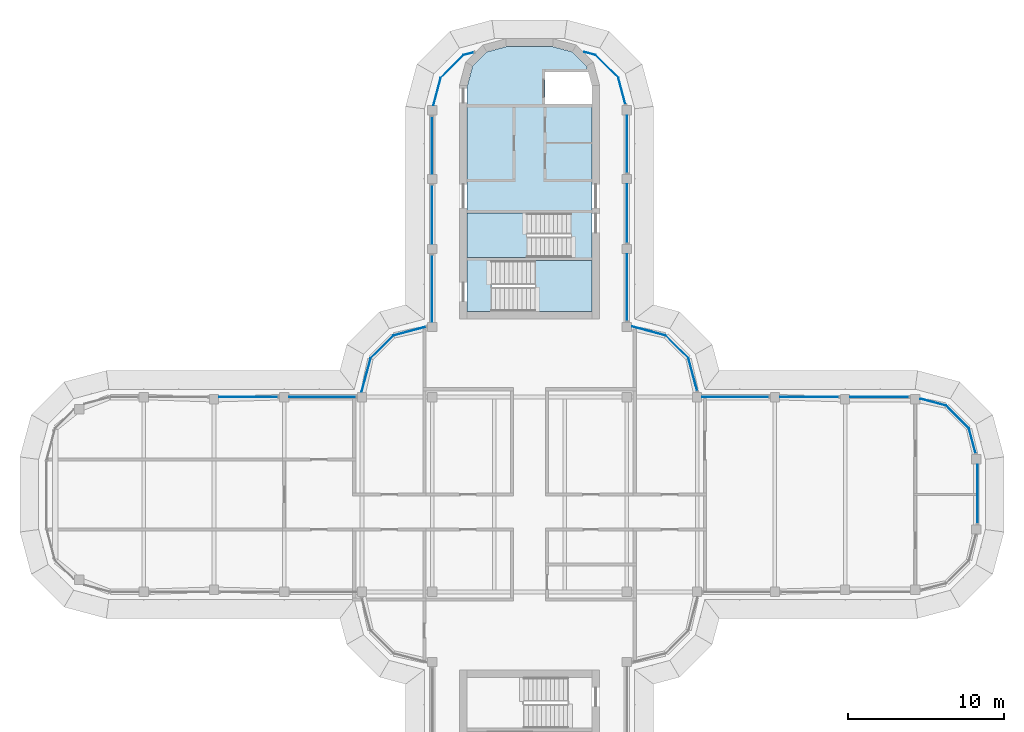
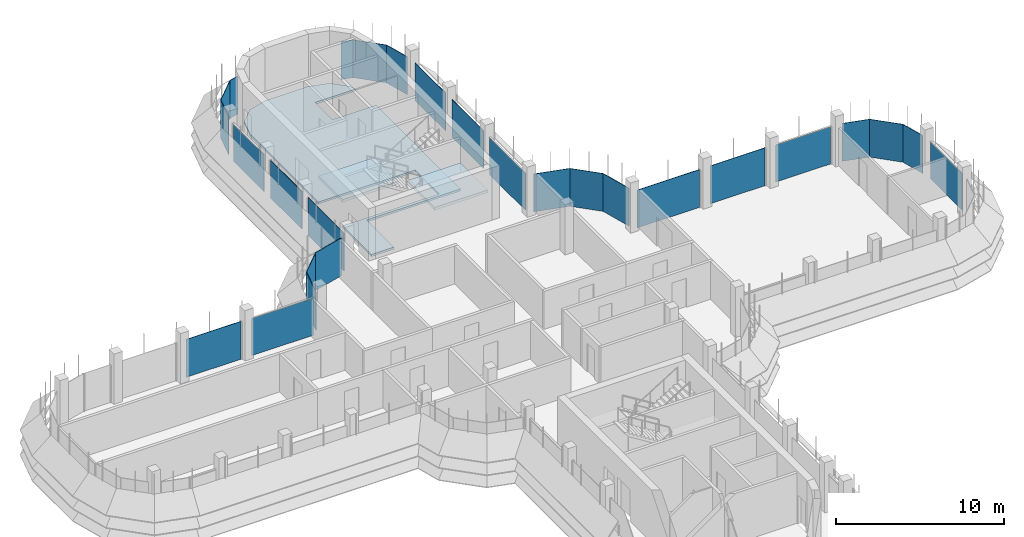
# One storey, part 12 of 19: 27 plates, 3 slabs, 22 elements without a shape of their own.
"""IFC4 building model written with IfcOpenShell, lengths in metres."""

from ifc_helpers import new_model, si_unit, direction, frame, origin, place, context, subcontext, project, spatial, polyline, outline, extrude, source, transform, mapped, material, layer, layer_set, type_object, element, aggregate, save


model = new_model("IFC4")

# Units and contexts
model_context = context("Model", 3, precision=1e-05, world=origin(), true_north=direction((0.0, 1.0)))
body_context = subcontext(model_context, "Body", "Model", "MODEL_VIEW")
ifc_project = project(units=[si_unit("LENGTHUNIT", "METRE"), si_unit("AREAUNIT", "SQUARE_METRE"), si_unit("VOLUMEUNIT", "CUBIC_METRE"), si_unit("PLANEANGLEUNIT", "RADIAN"), si_unit("MASSUNIT", "GRAM", prefix="KILO")], contexts=[model_context])

# Site, building, storey
site_placement = place(None, origin())
site = spatial("IfcSite", under=ifc_project, at=site_placement, CompositionType="ELEMENT")
building_placement = place(site_placement, origin())
building = spatial("IfcBuilding", under=site, at=building_placement, Name="Zarbagh Exchange Tower", CompositionType="ELEMENT")
storey_placement = place(building_placement, frame((0.0, 0.0, 280.199951171875)))
storey = spatial("IfcBuildingStorey", under=building, at=storey_placement, Name="L69", CompositionType="ELEMENT", Elevation=280.199951171875)

# Slab
ifc_material_1 = material(Name="Concrete C40/50", Category="concrete")
ifc_layer_1 = layer(ifc_material_1, 0.14990234375)
ifc_layer_set_1 = layer_set([ifc_layer_1], Name="Core floor slab 150 C40/50")
slab_type_1 = type_object("IfcSlabType", Name="Core floor slab 150 C40/50", PredefinedType="FLOOR", material=ifc_layer_set_1)
slab_1_placement = place(storey_placement, frame((0.0, 0.0, -0.14990234375)))
element("IfcSlab", 1, at=slab_1_placement, inside=storey, type_object=slab_type_1, Name="S17 core N", PredefinedType="FLOOR", context=body_context, shape_type="SweptSolid", body=[
    extrude(outline(polyline([(-4.0, 11.75), (-4.0, 15.199951171875), (2.64990234375, 15.199951171875), (2.64990234375, 18.050048828125), (-4.0, 18.050048828125), (-4.0, 26.18408203125), (-3.64990234375, 27.4912109375), (-2.7412109375, 28.39990234375), (-1.43408203125, 28.75), (1.43408203125, 28.75), (2.7412109375, 28.39990234375), (3.64990234375, 27.4912109375), (3.857666015625, 26.715087890625), (3.754638671875, 27.10009765625), (1.0, 27.10009765625), (1.0, 25.050048828125), (4.0, 25.050048828125), (4.0, 15.0), (-2.449951171875, 15.0), (-2.449951171875, 11.75), (-4.0, 11.75)])), origin(), (0.0, 0.0, 1.0), 0.14990234375),
])

# Stair, slab
stair_type = type_object("IfcStairType", Name="Exit stair two-flight half-turn", PredefinedType="HALF_TURN_STAIR", material=ifc_material_1)
stair_1_placement = place(storey_placement, origin())
stair_1 = element("IfcStair", 2, at=stair_1_placement, inside=storey, type_object=stair_type, Name="exit stair ST1", PredefinedType="HALF_TURN_STAIR")
ifc_layer_2 = layer(ifc_material_1, 0.199951171875)
ifc_layer_set_2 = layer_set([ifc_layer_2], Name="Stair landing 200 mm")
slab_type_2 = type_object("IfcSlabType", Name="Stair landing 200 mm", PredefinedType="LANDING", material=ifc_layer_set_2)
slab_2_placement = place(storey_placement, frame((0.0, 0.0, 1.699951171875)))
slab_2 = element("IfcSlab", 3, at=slab_2_placement, type_object=slab_type_2, Name="ST1 landing 1", PredefinedType="LANDING", context=body_context, shape_type="SweptSolid", body=[
    extrude(outline(polyline([(-0.14990234375, 18.050048828125), (-4.0, 18.050048828125), (-4.0, 15.199951171875), (-0.14990234375, 15.199951171875), (-0.14990234375, 18.050048828125)])), origin(), (0.0, 0.0, 1.0), 0.2001953125),
])
aggregate(stair_1, [slab_2])

stair_2_placement = place(storey_placement, origin())
stair_2 = element("IfcStair", 4, at=stair_2_placement, inside=storey, type_object=stair_type, Name="exit stair ST2", PredefinedType="HALF_TURN_STAIR")
slab_3_placement = place(storey_placement, frame((0.0, 0.0, 1.699951171875)))
slab_3 = element("IfcSlab", 5, at=slab_3_placement, type_object=slab_type_2, Name="ST2 landing 1", PredefinedType="LANDING", context=body_context, shape_type="SweptSolid", body=[
    extrude(outline(polyline([(0.35009765625, 11.75), (4.0, 11.75), (4.0, 15.0), (0.35009765625, 15.0), (0.35009765625, 11.75)])), origin(), (0.0, 0.0, 1.0), 0.2001953125),
])
aggregate(stair_2, [slab_3])

# Curtain wall, plate
ifc_material_2 = material(Name="Anodised aluminium frame and glazing", Category="aluminium")
curtain_wall_type = type_object("IfcCurtainWallType", Name="CWB Ribbon glazing, upper zones", PredefinedType="NOTDEFINED", material=ifc_material_2)
curtain_wall_1_placement = place(storey_placement, origin())
curtain_wall_1 = element("IfcCurtainWall", 6, at=curtain_wall_1_placement, inside=storey, type_object=curtain_wall_type, Name="CWB80 curtain wall", PredefinedType="NOTDEFINED")
ifc_material_3 = material(Name="Low-e double glazed unit, 6+12+6 mm")
ifc_layer_3 = layer(ifc_material_3, 0.031982421875)
ifc_layer_set_3 = layer_set([ifc_layer_3], Name="PAB Glazing panel, Low-e double glazed unit, 6+12+6 mm")
plate_type = type_object("IfcPlateType", Name="PAB Glazing panel, Low-e double glazed unit, 6+12+6 mm", PredefinedType="CURTAIN_PANEL", material=ifc_layer_set_3)
shared_shape_1 = source(origin(), body_context, "Body", "SweptSolid", [
    extrude(outline(polyline([(0.0, -0.01611328125), (2.061279296875, -0.01611328125), (2.061279296875, 0.01611328125), (0.0, 0.01611328125), (0.0, -0.01611328125)])), origin(), (0.0, 0.0, 1.0), 2.75),
])
placement = place(storey_placement, origin())
plate_1 = element("IfcPlate", 7, at=placement, type_object=plate_type, Name="CWB80 glazing panel 1.1", PredefinedType="CURTAIN_PANEL", context=body_context, shape_type="MappedRepresentation", body=[
    mapped(shared_shape_1, transform((28.19873046875, 4.2412109375, 0.0), x_axis=(-0.707106781187, 0.707106781187, 0.0), y_axis=(-0.707106781187, -0.707106781187, 0.0), z_axis=(0.0, 0.0, 1.0))),
])
aggregate(curtain_wall_1, [plate_1])

curtain_wall_2_placement = place(storey_placement, origin())
curtain_wall_2 = element("IfcCurtainWall", 8, at=curtain_wall_2_placement, inside=storey, type_object=curtain_wall_type, Name="CWB18 curtain wall", PredefinedType="NOTDEFINED")
plate_2 = element("IfcPlate", 9, at=placement, type_object=plate_type, Name="CWB18 glazing panel 1.1", PredefinedType="CURTAIN_PANEL", context=body_context, shape_type="MappedRepresentation", body=[
    mapped(shared_shape_1, transform((10.19873046875, 8.7412109375, 0.0), x_axis=(-0.707106781187, 0.707106781187, 0.0), y_axis=(-0.707106781187, -0.707106781187, 0.0), z_axis=(0.0, 0.0, 1.0))),
])
aggregate(curtain_wall_2, [plate_2])

curtain_wall_3_placement = place(storey_placement, origin())
curtain_wall_3 = element("IfcCurtainWall", 10, at=curtain_wall_3_placement, inside=storey, type_object=curtain_wall_type, Name="CWB74 curtain wall", PredefinedType="NOTDEFINED")
plate_3 = element("IfcPlate", 11, at=placement, type_object=plate_type, Name="CWB74 glazing panel 1.1", PredefinedType="CURTAIN_PANEL", context=body_context, shape_type="MappedRepresentation", body=[
    mapped(shared_shape_1, transform((5.69873046875, 26.7412109375, 0.0), x_axis=(-0.707106781187, 0.707106781187, 0.0), y_axis=(-0.707106781187, -0.707106781187, 0.0), z_axis=(0.0, 0.0, 1.0))),
])
aggregate(curtain_wall_3, [plate_3])

curtain_wall_4_placement = place(storey_placement, origin())
curtain_wall_4 = element("IfcCurtainWall", 12, at=curtain_wall_4_placement, inside=storey, type_object=curtain_wall_type, Name="CWB71 curtain wall", PredefinedType="NOTDEFINED")
plate_4 = element("IfcPlate", 13, at=placement, type_object=plate_type, Name="CWB71 glazing panel 1.1", PredefinedType="CURTAIN_PANEL", context=body_context, shape_type="MappedRepresentation", body=[
    mapped(shared_shape_1, transform((-4.2412109375, 28.19873046875, 0.0), x_axis=(-0.707106781187, -0.707106781187, 0.0), y_axis=(0.707106781187, -0.707106781187, 0.0), z_axis=(0.0, 0.0, 1.0))),
])
aggregate(curtain_wall_4, [plate_4])

curtain_wall_5_placement = place(storey_placement, origin())
curtain_wall_5 = element("IfcCurtainWall", 14, at=curtain_wall_5_placement, inside=storey, type_object=curtain_wall_type, Name="CWB30 curtain wall", PredefinedType="NOTDEFINED")
plate_5 = element("IfcPlate", 15, at=placement, type_object=plate_type, Name="CWB30 glazing panel 1.1", PredefinedType="CURTAIN_PANEL", context=body_context, shape_type="MappedRepresentation", body=[
    mapped(shared_shape_1, transform((-8.7412109375, 10.19873046875, 0.0), x_axis=(-0.707106781187, -0.707106781187, 0.0), y_axis=(0.707106781187, -0.707106781187, 0.0), z_axis=(0.0, 0.0, 1.0))),
])
aggregate(curtain_wall_5, [plate_5])

curtain_wall_6_placement = place(storey_placement, origin())
curtain_wall_6 = element("IfcCurtainWall", 16, at=curtain_wall_6_placement, inside=storey, type_object=curtain_wall_type, Name="CWB81 curtain wall", PredefinedType="NOTDEFINED")
shared_shape_2 = source(origin(), body_context, "Body", "SweptSolid", [
    extrude(outline(polyline([(0.0, -0.01611328125), (1.70947265625, -0.01611328125), (1.70947265625, 0.01611328125), (0.0, 0.01611328125), (0.0, -0.01611328125)])), origin(), (0.0, 0.0, 1.0), 2.75),
])
plate_6 = element("IfcPlate", 17, at=placement, type_object=plate_type, Name="CWB81 glazing panel 1.1", PredefinedType="CURTAIN_PANEL", context=body_context, shape_type="MappedRepresentation", body=[
    mapped(shared_shape_2, transform((26.7412109375, 5.69873046875, 0.0), x_axis=(-0.965924289636, 0.258824779902, 0.0), y_axis=(-0.258824779902, -0.965924289636, 0.0), z_axis=(0.0, 0.0, 1.0))),
])
aggregate(curtain_wall_6, [plate_6])

curtain_wall_7_placement = place(storey_placement, origin())
curtain_wall_7 = element("IfcCurtainWall", 18, at=curtain_wall_7_placement, inside=storey, type_object=curtain_wall_type, Name="CWB79 curtain wall", PredefinedType="NOTDEFINED")
shared_shape_3 = source(origin(), body_context, "Body", "SweptSolid", [
    extrude(outline(polyline([(0.0, -0.01611328125), (1.6494140625, -0.01611328125), (1.6494140625, 0.01611328125), (0.0, 0.01611328125), (0.0, -0.01611328125)])), origin(), (0.0, 0.0, 1.0), 2.75),
])
plate_7 = element("IfcPlate", 19, at=placement, type_object=plate_type, Name="CWB79 glazing panel 1.1", PredefinedType="CURTAIN_PANEL", context=body_context, shape_type="MappedRepresentation", body=[
    mapped(shared_shape_3, transform((28.625732421875, 2.64794921875, 0.0), x_axis=(-0.258824779902, 0.965924289636, 0.0), y_axis=(-0.965924289636, -0.258824779902, 0.0), z_axis=(0.0, 0.0, 1.0))),
])
aggregate(curtain_wall_7, [plate_7])

curtain_wall_8_placement = place(storey_placement, origin())
curtain_wall_8 = element("IfcCurtainWall", 20, at=curtain_wall_8_placement, inside=storey, type_object=curtain_wall_type, Name="CWB67 curtain wall", PredefinedType="NOTDEFINED")
shared_shape_4 = source(origin(), body_context, "Body", "SweptSolid", [
    extrude(outline(polyline([(0.0, -0.01611328125), (3.659912109375, -0.01611328125), (3.659912109375, 0.01611328125), (0.0, 0.01611328125), (0.0, -0.01611328125)])), origin(), (0.0, 0.0, 1.0), 2.75),
])
plate_8 = element("IfcPlate", 21, at=placement, type_object=plate_type, Name="CWB67 glazing panel 3.1", PredefinedType="CURTAIN_PANEL", context=body_context, shape_type="MappedRepresentation", body=[
    mapped(shared_shape_4, transform((6.25, 20.650146484375, 0.0), x_axis=(0.0, 1.0, 0.0), y_axis=(-1.0, 0.0, 0.0), z_axis=(0.0, 0.0, 1.0))),
])

curtain_wall_9_placement = place(storey_placement, origin())
curtain_wall_9 = element("IfcCurtainWall", 22, at=curtain_wall_9_placement, inside=storey, type_object=curtain_wall_type, Name="CWB69 curtain wall", PredefinedType="NOTDEFINED")
shared_shape_5 = source(origin(), body_context, "Body", "SweptSolid", [
    extrude(outline(polyline([(0.0, -0.01611328125), (0.757080078125, -0.01611328125), (0.757080078125, 0.01611328125), (0.0, 0.01611328125), (0.0, -0.01611328125)])), origin(), (0.0, 0.0, 1.0), 2.75),
])
plate_9 = element("IfcPlate", 23, at=placement, type_object=plate_type, Name="CWB69 glazing panel 1.1", PredefinedType="CURTAIN_PANEL", context=body_context, shape_type="MappedRepresentation", body=[
    mapped(shared_shape_5, transform((4.2412109375, 28.19873046875, 0.0), x_axis=(-0.965924289636, 0.258824779902, 0.0), y_axis=(-0.258824779902, -0.965924289636, 0.0), z_axis=(0.0, 0.0, 1.0))),
])
aggregate(curtain_wall_9, [plate_9])

curtain_wall_10_placement = place(storey_placement, origin())
curtain_wall_10 = element("IfcCurtainWall", 24, at=curtain_wall_10_placement, inside=storey, type_object=curtain_wall_type, Name="CWB70 curtain wall", PredefinedType="NOTDEFINED")
shared_shape_6 = source(origin(), body_context, "Body", "SweptSolid", [
    extrude(outline(polyline([(0.0, -0.01611328125), (0.697021484375, -0.01611328125), (0.697021484375, 0.01611328125), (0.0, 0.01611328125), (0.0, -0.01611328125)])), origin(), (0.0, 0.0, 1.0), 2.75),
])
plate_10 = element("IfcPlate", 25, at=placement, type_object=plate_type, Name="CWB70 glazing panel 1.1", PredefinedType="CURTAIN_PANEL", context=body_context, shape_type="MappedRepresentation", body=[
    mapped(shared_shape_6, transform((-3.56787109375, 28.379150390625, 0.0), x_axis=(-0.965924289636, -0.258824779902, 0.0), y_axis=(0.258824779902, -0.965924289636, 0.0), z_axis=(0.0, 0.0, 1.0))),
])
aggregate(curtain_wall_10, [plate_10])

curtain_wall_11_placement = place(storey_placement, origin())
curtain_wall_11 = element("IfcCurtainWall", 26, at=curtain_wall_11_placement, inside=storey, type_object=curtain_wall_type, Name="CWB72 curtain wall", PredefinedType="NOTDEFINED")
shared_shape_7 = source(origin(), body_context, "Body", "SweptSolid", [
    extrude(outline(polyline([(0.0, -0.01611328125), (1.81298828125, -0.01611328125), (1.81298828125, 0.01611328125), (0.0, 0.01611328125), (0.0, -0.01611328125)])), origin(), (0.0, 0.0, 1.0), 2.75),
])
plate_11 = element("IfcPlate", 27, at=placement, type_object=plate_type, Name="CWB72 glazing panel 1.1", PredefinedType="CURTAIN_PANEL", context=body_context, shape_type="MappedRepresentation", body=[
    mapped(shared_shape_7, transform((-5.69873046875, 26.7412109375, 0.0), x_axis=(-0.258824779902, -0.965924289636, 0.0), y_axis=(0.965924289636, -0.258824779902, 0.0), z_axis=(0.0, 0.0, 1.0))),
])
aggregate(curtain_wall_11, [plate_11])

curtain_wall_12_placement = place(storey_placement, origin())
curtain_wall_12 = element("IfcCurtainWall", 28, at=curtain_wall_12_placement, inside=storey, type_object=curtain_wall_type, Name="CWB82 curtain wall", PredefinedType="NOTDEFINED")
shared_shape_8 = source(origin(), body_context, "Body", "SweptSolid", [
    extrude(outline(polyline([(0.0, -0.01611328125), (3.760009765625, -0.01611328125), (3.760009765625, 0.01611328125), (0.0, 0.01611328125), (0.0, -0.01611328125)])), origin(), (0.0, 0.0, 1.0), 2.75),
])
plate_12 = element("IfcPlate", 29, at=placement, type_object=plate_type, Name="CWB82 glazing panel 2.1", PredefinedType="CURTAIN_PANEL", context=body_context, shape_type="MappedRepresentation", body=[
    mapped(shared_shape_8, transform((19.849853515625, 6.25, 0.0), x_axis=(-1.0, 0.0, 0.0), y_axis=(0.0, -1.0, 0.0), z_axis=(0.0, 0.0, 1.0))),
])

# Plate
plate_13 = element("IfcPlate", 30, at=placement, type_object=plate_type, Name="CWB67 glazing panel 2.1", PredefinedType="CURTAIN_PANEL", context=body_context, shape_type="MappedRepresentation", body=[
    mapped(shared_shape_8, transform((6.25, 16.150146484375, 0.0), x_axis=(0.0, 1.0, 0.0), y_axis=(-1.0, 0.0, 0.0), z_axis=(0.0, 0.0, 1.0))),
])

# Curtain wall, plate
curtain_wall_13_placement = place(storey_placement, origin())
curtain_wall_13 = element("IfcCurtainWall", 31, at=curtain_wall_13_placement, inside=storey, type_object=curtain_wall_type, Name="CWB73 curtain wall", PredefinedType="NOTDEFINED")
plate_14 = element("IfcPlate", 32, at=placement, type_object=plate_type, Name="CWB73 glazing panel 2.1", PredefinedType="CURTAIN_PANEL", context=body_context, shape_type="MappedRepresentation", body=[
    mapped(shared_shape_8, transform((-6.25, 19.849853515625, 0.0), x_axis=(0.0, -1.0, 0.0), y_axis=(1.0, 0.0, 0.0), z_axis=(0.0, 0.0, 1.0))),
])

curtain_wall_14_placement = place(storey_placement, origin())
curtain_wall_14 = element("IfcCurtainWall", 33, at=curtain_wall_14_placement, inside=storey, type_object=curtain_wall_type, Name="CWB58 curtain wall", PredefinedType="NOTDEFINED")
plate_15 = element("IfcPlate", 34, at=placement, type_object=plate_type, Name="CWB58 glazing panel 2.1", PredefinedType="CURTAIN_PANEL", context=body_context, shape_type="MappedRepresentation", body=[
    mapped(shared_shape_8, transform((-16.150146484375, 6.25, 0.0), x_axis=(-1.0, 0.0, 0.0), y_axis=(0.0, -1.0, 0.0), z_axis=(0.0, 0.0, 1.0))),
])

# Plate
shared_shape_9 = source(origin(), body_context, "Body", "SweptSolid", [
    extrude(outline(polyline([(0.0, -0.01611328125), (4.260009765625, -0.01611328125), (4.260009765625, 0.01611328125), (0.0, 0.01611328125), (0.0, -0.01611328125)])), origin(), (0.0, 0.0, 1.0), 2.75),
])
plate_16 = element("IfcPlate", 35, at=placement, type_object=plate_type, Name="CWB82 glazing panel 3.1", PredefinedType="CURTAIN_PANEL", context=body_context, shape_type="MappedRepresentation", body=[
    mapped(shared_shape_9, transform((15.349853515625, 6.25, 0.0), x_axis=(-1.0, 0.0, 0.0), y_axis=(0.0, -1.0, 0.0), z_axis=(0.0, 0.0, 1.0))),
])

plate_17 = element("IfcPlate", 36, at=placement, type_object=plate_type, Name="CWB73 glazing panel 3.1", PredefinedType="CURTAIN_PANEL", context=body_context, shape_type="MappedRepresentation", body=[
    mapped(shared_shape_9, transform((-6.25, 15.349853515625, 0.0), x_axis=(0.0, -1.0, 0.0), y_axis=(1.0, 0.0, 0.0), z_axis=(0.0, 0.0, 1.0))),
])

# Curtain wall, plate
curtain_wall_15_placement = place(storey_placement, origin())
curtain_wall_15 = element("IfcCurtainWall", 37, at=curtain_wall_15_placement, inside=storey, type_object=curtain_wall_type, Name="CWB17 curtain wall", PredefinedType="NOTDEFINED")
shared_shape_10 = source(origin(), body_context, "Body", "SweptSolid", [
    extrude(outline(polyline([(0.0, -0.01611328125), (2.1669921875, -0.01611328125), (2.1669921875, 0.01611328125), (0.0, 0.01611328125), (0.0, -0.01611328125)])), origin(), (0.0, 0.0, 1.0), 2.75),
])
plate_18 = element("IfcPlate", 38, at=placement, type_object=plate_type, Name="CWB17 glazing panel 1.1", PredefinedType="CURTAIN_PANEL", context=body_context, shape_type="MappedRepresentation", body=[
    mapped(shared_shape_10, transform((10.759765625, 6.64794921875, 0.0), x_axis=(-0.258824779902, 0.965924289636, 0.0), y_axis=(-0.965924289636, -0.258824779902, 0.0), z_axis=(0.0, 0.0, 1.0))),
])
aggregate(curtain_wall_15, [plate_18])

curtain_wall_16_placement = place(storey_placement, origin())
curtain_wall_16 = element("IfcCurtainWall", 39, at=curtain_wall_16_placement, inside=storey, type_object=curtain_wall_type, Name="CWB29 curtain wall", PredefinedType="NOTDEFINED")
plate_19 = element("IfcPlate", 40, at=placement, type_object=plate_type, Name="CWB29 glazing panel 1.1", PredefinedType="CURTAIN_PANEL", context=body_context, shape_type="MappedRepresentation", body=[
    mapped(shared_shape_10, transform((-6.64794921875, 10.759765625, 0.0), x_axis=(-0.965924289636, -0.258824779902, 0.0), y_axis=(0.258824779902, -0.965924289636, 0.0), z_axis=(0.0, 0.0, 1.0))),
])
aggregate(curtain_wall_16, [plate_19])

curtain_wall_17_placement = place(storey_placement, origin())
curtain_wall_17 = element("IfcCurtainWall", 41, at=curtain_wall_17_placement, inside=storey, type_object=curtain_wall_type, Name="CWB19 curtain wall", PredefinedType="NOTDEFINED")
shared_shape_11 = source(origin(), body_context, "Body", "SweptSolid", [
    extrude(outline(polyline([(0.0, -0.01611328125), (2.22705078125, -0.01611328125), (2.22705078125, 0.01611328125), (0.0, 0.01611328125), (0.0, -0.01611328125)])), origin(), (0.0, 0.0, 1.0), 2.75),
])
plate_20 = element("IfcPlate", 42, at=placement, type_object=plate_type, Name="CWB19 glazing panel 1.1", PredefinedType="CURTAIN_PANEL", context=body_context, shape_type="MappedRepresentation", body=[
    mapped(shared_shape_11, transform((8.7412109375, 10.19873046875, 0.0), x_axis=(-0.965924289636, 0.258824779902, 0.0), y_axis=(-0.258824779902, -0.965924289636, 0.0), z_axis=(0.0, 0.0, 1.0))),
])
aggregate(curtain_wall_17, [plate_20])

curtain_wall_18_placement = place(storey_placement, origin())
curtain_wall_18 = element("IfcCurtainWall", 43, at=curtain_wall_18_placement, inside=storey, type_object=curtain_wall_type, Name="CWB31 curtain wall", PredefinedType="NOTDEFINED")
plate_21 = element("IfcPlate", 44, at=placement, type_object=plate_type, Name="CWB31 glazing panel 1.1", PredefinedType="CURTAIN_PANEL", context=body_context, shape_type="MappedRepresentation", body=[
    mapped(shared_shape_11, transform((-10.19873046875, 8.7412109375, 0.0), x_axis=(-0.258824779902, -0.965924289636, 0.0), y_axis=(0.965924289636, -0.258824779902, 0.0), z_axis=(0.0, 0.0, 1.0))),
])
aggregate(curtain_wall_18, [plate_21])

# Plate
shared_shape_12 = source(origin(), body_context, "Body", "SweptSolid", [
    extrude(outline(polyline([(0.0, -0.01611328125), (4.260009765625, -0.01611328125), (4.260009765625, 0.01611328125), (0.0, 0.01611328125), (0.0, -0.01611328125)])), origin(), (0.0, 0.0, 1.0), 2.68994140625),
])
plate_22 = element("IfcPlate", 45, at=placement, type_object=plate_type, Name="CWB67 glazing panel 1.1", PredefinedType="CURTAIN_PANEL", context=body_context, shape_type="MappedRepresentation", body=[
    mapped(shared_shape_12, transform((6.25, 11.150146484375, 0.0), x_axis=(0.0, 1.0, 0.0), y_axis=(-1.0, 0.0, 0.0), z_axis=(0.0, 0.0, 1.0))),
])

aggregate(curtain_wall_8, [plate_22, plate_13, plate_8])

plate_23 = element("IfcPlate", 46, at=placement, type_object=plate_type, Name="CWB58 glazing panel 1.1", PredefinedType="CURTAIN_PANEL", context=body_context, shape_type="MappedRepresentation", body=[
    mapped(shared_shape_12, transform((-11.150146484375, 6.25, 0.0), x_axis=(-1.0, 0.0, 0.0), y_axis=(0.0, -1.0, 0.0), z_axis=(0.0, 0.0, 1.0))),
])

aggregate(curtain_wall_14, [plate_23, plate_15])

# Curtain wall, plate
curtain_wall_19_placement = place(storey_placement, origin())
curtain_wall_19 = element("IfcCurtainWall", 47, at=curtain_wall_19_placement, inside=storey, type_object=curtain_wall_type, Name="CWB83 curtain wall", PredefinedType="NOTDEFINED")
shared_shape_13 = source(origin(), body_context, "Body", "SweptSolid", [
    extrude(outline(polyline([(0.0, -0.01611328125), (3.760009765625, -0.01611328125), (3.760009765625, 0.01611328125), (0.0, 0.01611328125), (0.0, -0.01611328125)])), origin(), (0.0, 0.0, 1.0), 2.68994140625),
])
plate_24 = element("IfcPlate", 48, at=placement, type_object=plate_type, Name="CWB83 glazing panel 1.1", PredefinedType="CURTAIN_PANEL", context=body_context, shape_type="MappedRepresentation", body=[
    mapped(shared_shape_13, transform((28.75, -1.849853515625, 0.0), x_axis=(0.0, 1.0, 0.0), y_axis=(-1.0, 0.0, 0.0), z_axis=(0.0, 0.0, 1.0))),
])
aggregate(curtain_wall_19, [plate_24])

# Plate
plate_25 = element("IfcPlate", 49, at=placement, type_object=plate_type, Name="CWB82 glazing panel 1.1", PredefinedType="CURTAIN_PANEL", context=body_context, shape_type="MappedRepresentation", body=[
    mapped(shared_shape_13, transform((24.349853515625, 6.25, 0.0), x_axis=(-1.0, 0.0, 0.0), y_axis=(0.0, -1.0, 0.0), z_axis=(0.0, 0.0, 1.0))),
])

aggregate(curtain_wall_12, [plate_25, plate_12, plate_16])

# Curtain wall, plate
curtain_wall_20_placement = place(storey_placement, origin())
curtain_wall_20 = element("IfcCurtainWall", 50, at=curtain_wall_20_placement, inside=storey, type_object=curtain_wall_type, Name="CWB68 curtain wall", PredefinedType="NOTDEFINED")
shared_shape_14 = source(origin(), body_context, "Body", "SweptSolid", [
    extrude(outline(polyline([(0.0, -0.01611328125), (1.7529296875, -0.01611328125), (1.7529296875, 0.01611328125), (0.0, 0.01611328125), (0.0, -0.01611328125)])), origin(), (0.0, 0.0, 1.0), 2.75),
])
plate_26 = element("IfcPlate", 51, at=placement, type_object=plate_type, Name="CWB68 glazing panel 1.1", PredefinedType="CURTAIN_PANEL", context=body_context, shape_type="MappedRepresentation", body=[
    mapped(shared_shape_14, transform((6.152587890625, 25.0478515625, 0.0), x_axis=(-0.258824779902, 0.965924289636, 0.0), y_axis=(-0.965924289636, -0.258824779902, 0.0), z_axis=(0.0, 0.0, 1.0))),
])
aggregate(curtain_wall_20, [plate_26])

# Plate
shared_shape_15 = source(origin(), body_context, "Body", "SweptSolid", [
    extrude(outline(polyline([(0.0, -0.01611328125), (3.659912109375, -0.01611328125), (3.659912109375, 0.01611328125), (0.0, 0.01611328125), (0.0, -0.01611328125)])), origin(), (0.0, 0.0, 1.0), 2.68994140625),
])
plate_27 = element("IfcPlate", 52, at=placement, type_object=plate_type, Name="CWB73 glazing panel 1.1", PredefinedType="CURTAIN_PANEL", context=body_context, shape_type="MappedRepresentation", body=[
    mapped(shared_shape_15, transform((-6.25, 24.25, 0.0), x_axis=(0.0, -1.0, 0.0), y_axis=(1.0, 0.0, 0.0), z_axis=(0.0, 0.0, 1.0))),
])

aggregate(curtain_wall_13, [plate_27, plate_14, plate_17])

save(model, "model.ifc")
